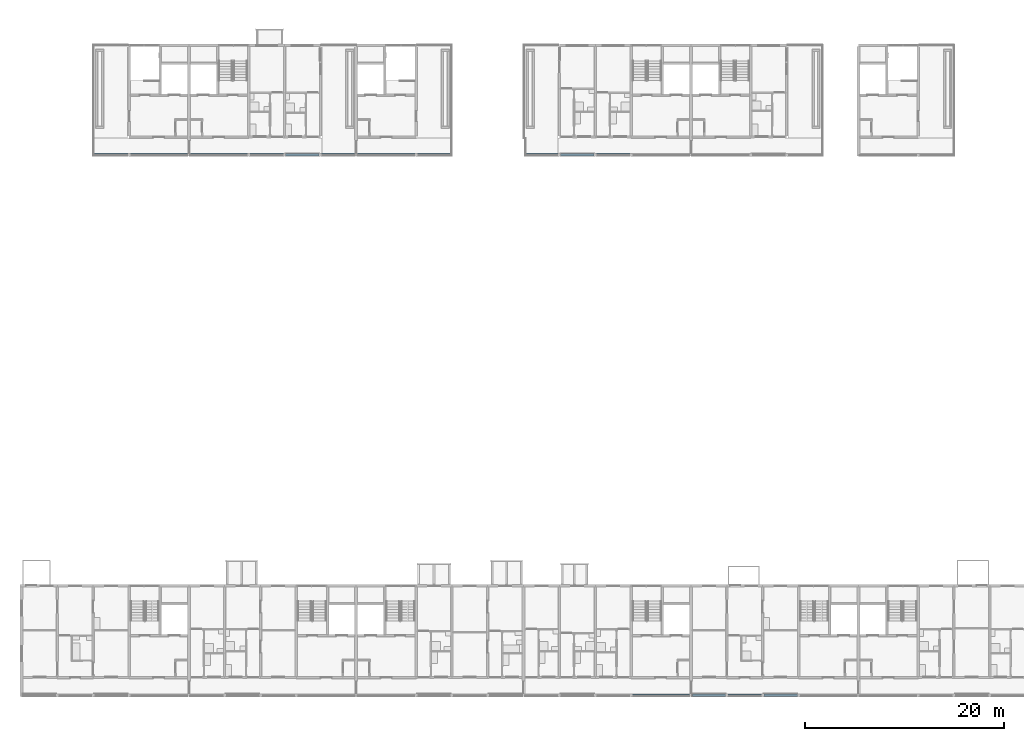
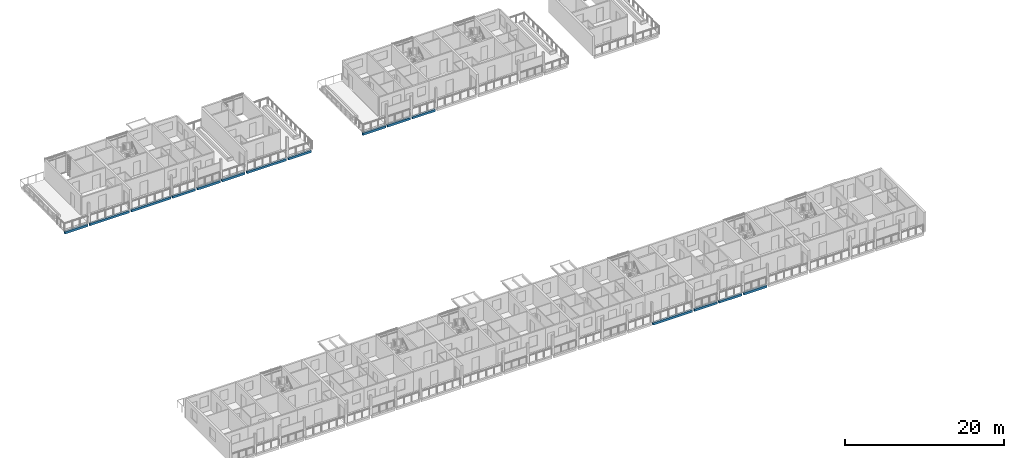
# One storey, part 8 of 94: 15 beams.
"""IFC4 building model written with IfcOpenShell, lengths in metres."""

import ifcopenshell
import ifcopenshell.guid

model = None  # the IFC model being written
_history = None  # IfcOwnerHistory: only IFC2X3 demands one
_inside = {}  # id of a spatial element -> (the spatial element, [elements in it])
_under = {}  # id of a project, library or spatial element -> (it, [spatial elements below it])
_declared = {}  # id of a project -> (the project, [libraries it declares])
_typed = {}  # id of a type object -> (the type object, [elements of that type])
_made_of = {}  # id of a material, layer set ... -> (it, [elements and type objects made of it])


def new_model(schema):
    """Start an empty IFC model of exactly this schema.

    Asked for "IFC4X3", IfcOpenShell would pick the latest addendum, in which some entities
    have other attributes; the version numbers below select the first issue.
    IFC2X3 requires an IfcOwnerHistory on every rooted entity: one is made here for all.
    """
    global model, _history
    if schema == "IFC4X3":
        model = ifcopenshell.file(schema_version=(4, 3, 0, 0))
    else:
        model = ifcopenshell.file(schema=schema)
    _inside.clear()
    _under.clear()
    _declared.clear()
    _typed.clear()
    _made_of.clear()
    _history = None
    if model.schema == "IFC2X3":
        org = make("IfcOrganization", Name="unknown")
        user = make(
            "IfcPersonAndOrganization",
            ThePerson=make("IfcPerson", FamilyName="unknown"),
            TheOrganization=org,
        )
        app = make(
            "IfcApplication",
            ApplicationDeveloper=org,
            Version="unknown",
            ApplicationFullName="unknown",
            ApplicationIdentifier="unknown",
        )
        _history = make(
            "IfcOwnerHistory",
            OwningUser=user,
            OwningApplication=app,
            ChangeAction="ADDED",
            CreationDate=0,
        )
    return model


def make(cls, **values):
    """One entity of the class cls with the attributes given. An attribute that is None is left unset."""
    return model.create_entity(
        cls, **{name: value for name, value in values.items() if value is not None}
    )


def rooted(cls, **values):
    """An entity with a GlobalId (a new one), such as an element, a storey or a relation."""
    return make(cls, GlobalId=ifcopenshell.guid.new(), OwnerHistory=_history, **values)


def si_unit(unit_type, name, prefix=None):
    """IfcSIUnit, for example si_unit("LENGTHUNIT", "METRE", prefix="MILLI")."""
    return make("IfcSIUnit", UnitType=unit_type, Prefix=prefix, Name=name)


def assignment(units):
    """IfcUnitAssignment: the units of a project."""
    return None if units is None else make("IfcUnitAssignment", Units=units)


def point(xyz):
    """IfcCartesianPoint."""
    return None if xyz is None else make("IfcCartesianPoint", Coordinates=xyz)


def direction(xyz):
    """IfcDirection."""
    return None if xyz is None else make("IfcDirection", DirectionRatios=xyz)


def frame(location, z_axis=None, x_axis=None):
    """IfcAxis2Placement3D, a coordinate frame: its origin and axes. An axis left out is left unset."""
    return make(
        "IfcAxis2Placement3D",
        Location=point(location),
        Axis=direction(z_axis),
        RefDirection=direction(x_axis),
    )


def frame_2d(location, x_axis=None):
    """IfcAxis2Placement2D, a coordinate frame in the plane: its origin and x axis."""
    return make(
        "IfcAxis2Placement2D", Location=point(location), RefDirection=direction(x_axis)
    )


def origin():
    """The frame at (0, 0, 0) with its axes left unset."""
    return frame((0.0, 0.0, 0.0))


def origin_2d():
    """The frame at (0, 0) in the plane with its x axis left unset."""
    return frame_2d((0.0, 0.0))


def place(relative_to, where):
    """IfcLocalPlacement: puts the frame where relative to a parent placement (None: the world)."""
    return make(
        "IfcLocalPlacement", PlacementRelTo=relative_to, RelativePlacement=where
    )


def context(
    kind, dimensions, precision=None, world=None, true_north=None, identifier=None
):
    """IfcGeometricRepresentationContext, for example the 3D "Model" context."""
    return make(
        "IfcGeometricRepresentationContext",
        ContextIdentifier=identifier,
        ContextType=kind,
        CoordinateSpaceDimension=dimensions,
        Precision=precision,
        WorldCoordinateSystem=world,
        TrueNorth=true_north,
    )


def subcontext(parent, identifier, kind, view, scale=None):
    """IfcGeometricRepresentationSubContext, for example "Body" below "Model"."""
    return make(
        "IfcGeometricRepresentationSubContext",
        ContextIdentifier=identifier,
        ContextType=kind,
        ParentContext=parent,
        TargetScale=scale,
        TargetView=view,
    )


def project(units=None, contexts=None):
    """IfcProject with its units and contexts."""
    return rooted(
        "IfcProject",
        Name="project",
        RepresentationContexts=contexts,
        UnitsInContext=assignment(units),
    )


def spatial(cls, under=None, at=None, **own):
    """A site, building, storey or space (cls), placed at a placement, below another one or the project."""
    s = rooted(cls, ObjectPlacement=at, **own)
    if under is not None:
        _under.setdefault(under.id(), (under, []))[1].append(s)
    return s


def profile(cls, at=None, kind="AREA", **sizes):
    """A parametric profile (cls). Its sizes go by their IFC names, for example OverallWidth=200.0."""
    return make(cls, ProfileType=kind, Position=at, **sizes)


def rectangle(**sizes):
    """IfcRectangleProfileDef."""
    return profile("IfcRectangleProfileDef", **sizes)


def extrude(swept, where, along, depth):
    """IfcExtrudedAreaSolid: the profile swept, set in the frame where, extruded along a direction by depth."""
    return make(
        "IfcExtrudedAreaSolid",
        SweptArea=swept,
        Position=where,
        ExtrudedDirection=direction(along),
        Depth=depth,
    )


def shape(context_of_items, identifier, shape_type, items):
    """IfcShapeRepresentation: the items that make up one representation, for example the "Body"."""
    return make(
        "IfcShapeRepresentation",
        ContextOfItems=context_of_items,
        RepresentationIdentifier=identifier,
        RepresentationType=shape_type,
        Items=items,
    )


def material(Name=None, Category=None):
    """IfcMaterial."""
    return make("IfcMaterial", Name=Name, Category=Category)


def material_profile(
    of_material, cross_section, Name=None, Category=None, Priority=None
):
    """IfcMaterialProfile: a cross section and its material."""
    return make(
        "IfcMaterialProfile",
        Name=Name,
        Material=of_material,
        Profile=cross_section,
        Priority=Priority,
        Category=Category,
    )


def profile_set(profiles, Name=None, composite=None):
    """IfcMaterialProfileSet."""
    return make(
        "IfcMaterialProfileSet",
        Name=Name,
        MaterialProfiles=profiles,
        CompositeProfile=composite,
    )


def made_of(thing, what):
    """Note that an element or type object is made of a material, layer set ...; save() writes the relation."""
    if what is not None:
        _made_of.setdefault(what.id(), (what, []))[1].append(thing)
    return thing


def type_object(cls, material=None, **own):
    """A type object (cls), such as IfcWallType, which elements share."""
    return made_of(rooted(cls, **own), material)


def element(
    cls,
    number,
    at=None,
    inside=None,
    cuts=None,
    type_object=None,
    material=None,
    context=None,
    identifier="Body",
    shape_type=None,
    held_by="IfcProductDefinitionShape",
    body=None,
    shapes=None,
    **own,
):
    """One element of the class cls, such as IfcWall. Its Tag is "e" and its number.

    at: its placement. inside: the storey or other place that contains it. cuts: it is an
    opening in that element (IfcRelVoidsElement). A single representation is given by context,
    identifier, shape_type and body (its items); several are given by shapes. held_by: the class
    of the entity that holds the representations. save() writes the other relations.
    """
    e = rooted(cls, Tag="e%d" % number, ObjectPlacement=at, **own)
    if body is not None:
        shapes = [shape(context, identifier, shape_type, body)]
    if shapes is not None:
        e.Representation = make(held_by, Representations=shapes)
    if inside is not None:
        _inside.setdefault(inside.id(), (inside, []))[1].append(e)
    if cuts is not None:
        rooted(
            "IfcRelVoidsElement", RelatingBuildingElement=cuts, RelatedOpeningElement=e
        )
    if type_object is not None:
        _typed.setdefault(type_object.id(), (type_object, []))[1].append(e)
    return made_of(e, material)


def aggregate(whole, parts):
    """IfcRelAggregates: a whole, such as a stair, and the parts it consists of."""
    return rooted("IfcRelAggregates", RelatingObject=whole, RelatedObjects=parts)


def save(model, path):
    """Write the relations noted so far, then the file.

    IfcRelAggregates (storeys below a building ...), IfcRelContainedInSpatialStructure (elements
    in a storey), IfcRelDefinesByType, IfcRelAssociatesMaterial and IfcRelDeclares: one each for
    every whole, place, type object, material and project.
    """
    for whole, parts in _under.values():
        aggregate(whole, parts)
    for where, things in _inside.values():
        rooted(
            "IfcRelContainedInSpatialStructure",
            RelatedElements=things,
            RelatingStructure=where,
        )
    for kind, things in _typed.values():
        rooted("IfcRelDefinesByType", RelatedObjects=things, RelatingType=kind)
    for what, things in _made_of.values():
        rooted("IfcRelAssociatesMaterial", RelatedObjects=things, RelatingMaterial=what)
    for by, libraries in _declared.values():
        rooted("IfcRelDeclares", RelatingContext=by, RelatedDefinitions=libraries)
    model.write(path)


model = new_model("IFC4")

# Units and contexts
model_context = context("Model", 3, precision=1e-05, world=origin(), true_north=direction((0.0, 1.0)))
body_context = subcontext(model_context, "Body", "Model", "MODEL_VIEW")
ifc_project = project(units=[si_unit("LENGTHUNIT", "METRE"), si_unit("AREAUNIT", "SQUARE_METRE"), si_unit("VOLUMEUNIT", "CUBIC_METRE"), si_unit("PLANEANGLEUNIT", "RADIAN"), si_unit("MASSUNIT", "GRAM", prefix="KILO")], contexts=[model_context])

# Site, building, storey
site_placement = place(None, origin())
site = spatial("IfcSite", under=ifc_project, at=site_placement, CompositionType="ELEMENT")
building_placement = place(site_placement, origin())
building = spatial("IfcBuilding", under=site, at=building_placement, Name="Ridgestep Commons", CompositionType="ELEMENT")
storey_placement = place(building_placement, frame((0.0, 0.0, 24.0)))
storey = spatial("IfcBuildingStorey", under=building, at=storey_placement, Name="L08", CompositionType="ELEMENT", Elevation=24.0)

# Beams
ifc_material = material(Name="Precast concrete C40/50", Category="concrete")
ifc_material_profile = material_profile(ifc_material, rectangle(XDim=0.25, YDim=0.35009765625, at=origin_2d()), Name="PC 250x350")
ifc_profile_set = profile_set([ifc_material_profile], Name="Precast concrete C40/50")
beam_type = type_object("IfcBeamType", Name="Loggia edge beam 250 x 350", PredefinedType="SPANDREL", material=ifc_profile_set)
beam_1_placement = place(storey_placement, frame((73.324951171875, 11.875, -0.375), z_axis=(1.0, 0.0, 0.0), x_axis=(0.0, 1.0, 0.0)))
element("IfcBeam", 1, at=beam_1_placement, inside=storey, type_object=beam_type, Name="Loggia edge beam A4C L08", PredefinedType="SPANDREL", context=body_context, shape_type="SweptSolid", body=[
    extrude(rectangle(XDim=0.25, YDim=0.35009765625, at=origin_2d()), origin(), (0.0, 0.0, 1.0), 5.72509765625),
])
beam_2_placement = place(storey_placement, frame((79.35009765625, 11.875, -0.375), z_axis=(1.0, 0.0, 0.0), x_axis=(0.0, 1.0, 0.0)))
element("IfcBeam", 2, at=beam_2_placement, inside=storey, type_object=beam_type, Name="Loggia edge beam A5T1 L08", PredefinedType="SPANDREL", context=body_context, shape_type="SweptSolid", body=[
    extrude(rectangle(XDim=0.25, YDim=0.35009765625, at=origin_2d()), origin(), (0.0, 0.0, 1.0), 3.324951171875),
])
beam_3_placement = place(storey_placement, frame((82.925048828125, 11.875, -0.375), z_axis=(1.0, 0.0, 0.0), x_axis=(0.0, 1.0, 0.0)))
element("IfcBeam", 3, at=beam_3_placement, inside=storey, type_object=beam_type, Name="Loggia edge beam A5T2 L08", PredefinedType="SPANDREL", context=body_context, shape_type="SweptSolid", body=[
    extrude(rectangle(XDim=0.25, YDim=0.35009765625, at=origin_2d()), origin(), (0.0, 0.0, 1.0), 3.349853515625),
])
for number, where, z_axis, x_axis, name in (
    (4, (86.52490234375, 11.875, -0.375), (1.0, 0.0, 0.0), (0.0, 1.0, 0.0), "Loggia edge beam A5T3 L08"),
    (5, (19.324951171875, 66.125, -0.375), (1.0, 0.0, 0.0), (0.0, 1.0, 0.0), "Loggia edge beam B1T3 L08"),
):
    element("IfcBeam", number, at=place(storey_placement, frame(where, z_axis=z_axis, x_axis=x_axis)), inside=storey, type_object=beam_type, Name=name, PredefinedType="SPANDREL", context=body_context, shape_type="SweptSolid", body=[
        extrude(rectangle(XDim=0.25, YDim=0.35009765625, at=origin_2d()), origin(), (0.0, 0.0, 1.0), 3.35009765625),
    ])
beam_4_placement = place(storey_placement, frame((22.925048828125, 66.125, -0.375), z_axis=(1.0, 0.0, 0.0), x_axis=(0.0, 1.0, 0.0)))
element("IfcBeam", 6, at=beam_4_placement, inside=storey, type_object=beam_type, Name="Loggia edge beam B1C L08", PredefinedType="SPANDREL", context=body_context, shape_type="SweptSolid", body=[
    extrude(rectangle(XDim=0.25, YDim=0.35009765625, at=origin_2d()), origin(), (0.0, 0.0, 1.0), 5.724853515625),
])
beam_5_placement = place(storey_placement, frame((28.949951171875, 66.125, -0.375), z_axis=(1.0, 0.0, 0.0), x_axis=(0.0, 1.0, 0.0)))
element("IfcBeam", 7, at=beam_5_placement, inside=storey, type_object=beam_type, Name="Loggia edge beam B2C L08", PredefinedType="SPANDREL", context=body_context, shape_type="SweptSolid", body=[
    extrude(rectangle(XDim=0.25, YDim=0.35009765625, at=origin_2d()), origin(), (0.0, 0.0, 1.0), 5.72509765625),
])
beam_6_placement = place(storey_placement, frame((34.925048828125, 66.125, -0.375), z_axis=(1.0, 0.0, 0.0), x_axis=(0.0, 1.0, 0.0)))
element("IfcBeam", 8, at=beam_6_placement, inside=storey, type_object=beam_type, Name="Loggia edge beam B2T3 L08", PredefinedType="SPANDREL", context=body_context, shape_type="SweptSolid", body=[
    extrude(rectangle(XDim=0.25, YDim=0.35009765625, at=origin_2d()), origin(), (0.0, 0.0, 1.0), 3.349853515625),
])
beam_7_placement = place(storey_placement, frame((38.52490234375, 66.125, -0.375), z_axis=(1.0, 0.0, 0.0), x_axis=(0.0, 1.0, 0.0)))
element("IfcBeam", 9, at=beam_7_placement, inside=storey, type_object=beam_type, Name="Loggia edge beam B2T2 L08", PredefinedType="SPANDREL", context=body_context, shape_type="SweptSolid", body=[
    extrude(rectangle(XDim=0.25, YDim=0.35009765625, at=origin_2d()), origin(), (0.0, 0.0, 1.0), 3.35009765625),
])
beam_8_placement = place(storey_placement, frame((42.125, 66.125, -0.375), z_axis=(1.0, 0.0, 0.0), x_axis=(0.0, 1.0, 0.0)))
element("IfcBeam", 10, at=beam_8_placement, inside=storey, type_object=beam_type, Name="Loggia edge beam B2T1 L08", PredefinedType="SPANDREL", context=body_context, shape_type="SweptSolid", body=[
    extrude(rectangle(XDim=0.25, YDim=0.35009765625, at=origin_2d()), origin(), (0.0, 0.0, 1.0), 3.324951171875),
])
beam_9_placement = place(storey_placement, frame((45.75, 66.125, -0.375), z_axis=(1.0, 0.0, 0.0), x_axis=(0.0, 1.0, 0.0)))
element("IfcBeam", 11, at=beam_9_placement, inside=storey, type_object=beam_type, Name="Loggia edge beam B3C L08", PredefinedType="SPANDREL", context=body_context, shape_type="SweptSolid", body=[
    extrude(rectangle(XDim=0.25, YDim=0.35009765625, at=origin_2d()), origin(), (0.0, 0.0, 1.0), 5.72509765625),
])
beam_10_placement = place(storey_placement, frame((51.72509765625, 66.125, -0.375), z_axis=(1.0, 0.0, 0.0), x_axis=(0.0, 1.0, 0.0)))
element("IfcBeam", 12, at=beam_10_placement, inside=storey, type_object=beam_type, Name="Loggia edge beam B3T3 L08", PredefinedType="SPANDREL", context=body_context, shape_type="SweptSolid", body=[
    extrude(rectangle(XDim=0.25, YDim=0.35009765625, at=origin_2d()), origin(), (0.0, 0.0, 1.0), 3.349853515625),
])
beam_11_placement = place(storey_placement, frame((62.550048828125, 66.125, -0.375), z_axis=(1.0, 0.0, 0.0), x_axis=(0.0, 1.0, 0.0)))
element("IfcBeam", 13, at=beam_11_placement, inside=storey, type_object=beam_type, Name="Loggia edge beam B4T1 L08", PredefinedType="SPANDREL", context=body_context, shape_type="SweptSolid", body=[
    extrude(rectangle(XDim=0.25, YDim=0.35009765625, at=origin_2d()), origin(), (0.0, 0.0, 1.0), 3.324951171875),
])
beam_12_placement = place(storey_placement, frame((66.125, 66.125, -0.375), z_axis=(1.0, 0.0, 0.0), x_axis=(0.0, 1.0, 0.0)))
element("IfcBeam", 14, at=beam_12_placement, inside=storey, type_object=beam_type, Name="Loggia edge beam B4T2 L08", PredefinedType="SPANDREL", context=body_context, shape_type="SweptSolid", body=[
    extrude(rectangle(XDim=0.25, YDim=0.35009765625, at=origin_2d()), origin(), (0.0, 0.0, 1.0), 3.35009765625),
])
beam_13_placement = place(storey_placement, frame((69.72509765625, 66.125, -0.375), z_axis=(1.0, 0.0, 0.0), x_axis=(0.0, 1.0, 0.0)))
element("IfcBeam", 15, at=beam_13_placement, inside=storey, type_object=beam_type, Name="Loggia edge beam B4T3 L08", PredefinedType="SPANDREL", context=body_context, shape_type="SweptSolid", body=[
    extrude(rectangle(XDim=0.25, YDim=0.35009765625, at=origin_2d()), origin(), (0.0, 0.0, 1.0), 3.349853515625),
])

save(model, "model.ifc")
